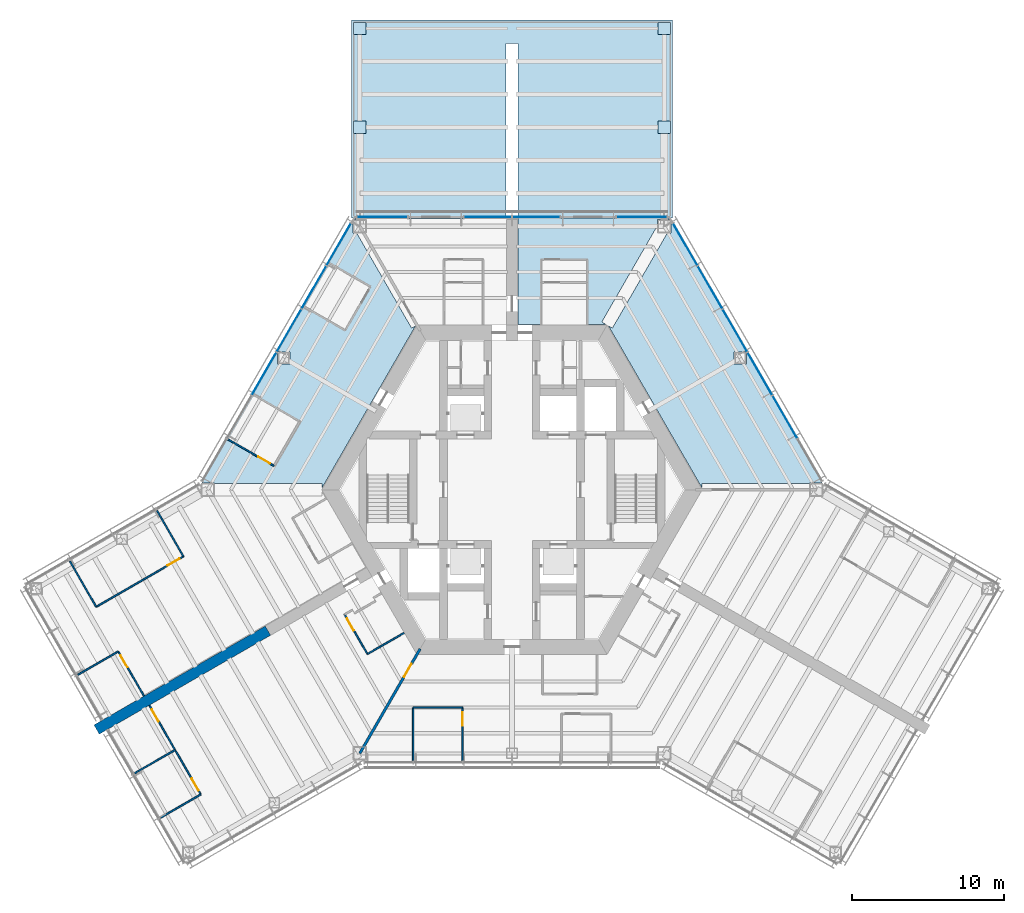
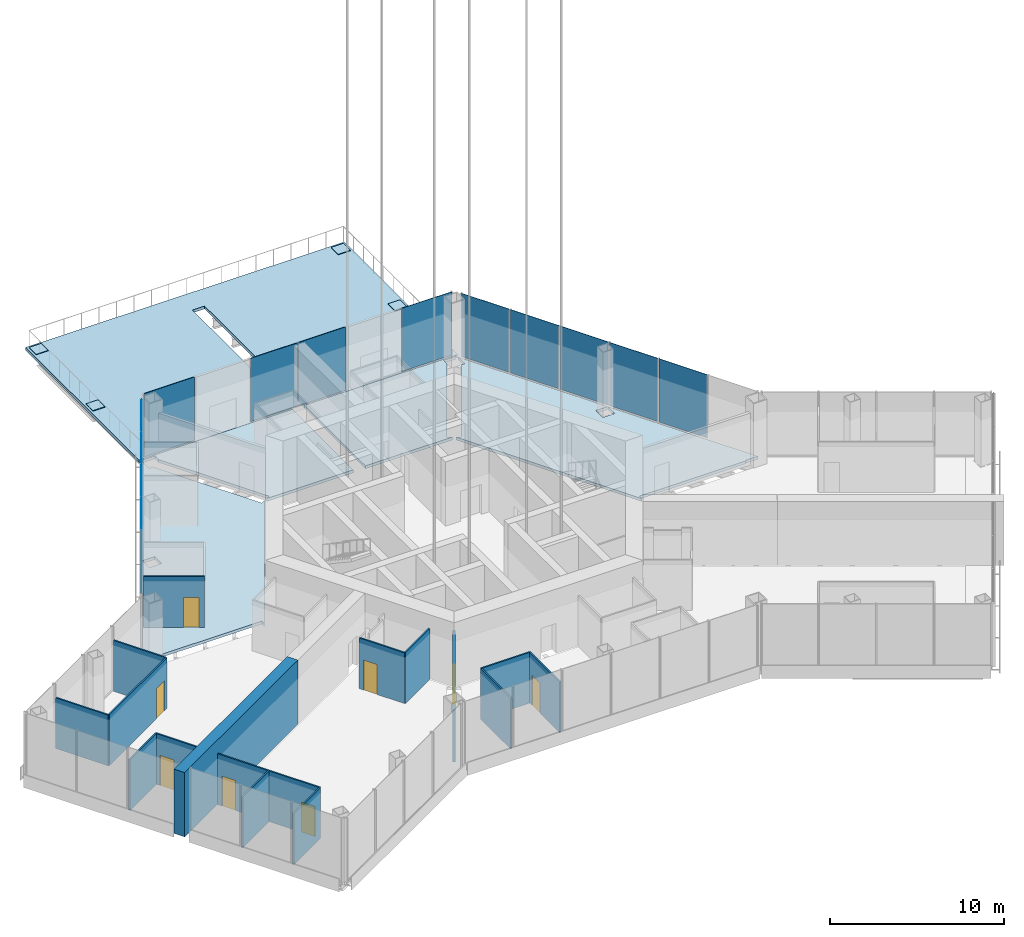
# One storey, part 9 of 18: 17 plates, 17 walls, 8 doors, 5 slabs, 8 openings, 5 elements without a shape of their own.
"""IFC4 building model written with IfcOpenShell, lengths in metres."""

from ifc_helpers import new_model, si_unit, direction, frame, frame_2d, origin, origin_2d, place, context, subcontext, project, spatial, polyline, rectangle, outline, extrude, material, layer, layer_set, type_object, element, fill, aggregate, save


model = new_model("IFC4")

# Units and contexts
model_context = context("Model", 3, precision=1e-05, world=origin(), true_north=direction((0.0, 1.0)))
body_context = subcontext(model_context, "Body", "Model", "MODEL_VIEW")
ifc_project = project(units=[si_unit("LENGTHUNIT", "METRE"), si_unit("AREAUNIT", "SQUARE_METRE"), si_unit("VOLUMEUNIT", "CUBIC_METRE"), si_unit("PLANEANGLEUNIT", "RADIAN"), si_unit("MASSUNIT", "GRAM", prefix="KILO")], contexts=[model_context])

# Site, building, storey
site_placement = place(None, origin())
site = spatial("IfcSite", under=ifc_project, at=site_placement, CompositionType="ELEMENT")
building_placement = place(site_placement, origin())
building = spatial("IfcBuilding", under=site, at=building_placement, Name="Kasaneha Research Tower", CompositionType="ELEMENT")
storey_placement = place(building_placement, frame((0.0, 0.0, 128.60009765625)))
storey = spatial("IfcBuildingStorey", under=building, at=storey_placement, Name="L32", CompositionType="ELEMENT", Elevation=128.60009765625)

# Curtain wall, plates
ifc_material_1 = material(Name="Glass and aluminium", Category="aluminium")
curtain_wall_type = type_object("IfcCurtainWallType", Name="Sky lobby curtain wall", PredefinedType="USERDEFINED", material=ifc_material_1)
curtain_wall_1_placement = place(storey_placement, origin())
curtain_wall_1 = element("IfcCurtainWall", 1, at=curtain_wall_1_placement, inside=storey, type_object=curtain_wall_type, Name="CW-S L32 run 06a", ObjectType="UNITISED CURTAIN WALL", PredefinedType="USERDEFINED")
ifc_material_2 = material(Name="Laminated double glazing", Category="glass")
ifc_layer_1 = layer(ifc_material_2, 0.030029296875)
ifc_layer_set_1 = layer_set([ifc_layer_1], Name="CW-S glazed panel")
plate_type_1 = type_object("IfcPlateType", Name="CW-S glazed panel", PredefinedType="CURTAIN_PANEL", material=ifc_layer_set_1)
plate_1_placement = place(storey_placement, frame((17.9306640625, 4.7841796875, 0.06982421875), z_axis=(0.0, 0.0, 1.0), x_axis=(-0.499999979232, 0.866025415775, 0.0)))
plate_1 = element("IfcPlate", 2, at=plate_1_placement, type_object=plate_type_1, Name="CW-S panel 2", PredefinedType="CURTAIN_PANEL", context=body_context, shape_type="SweptSolid", body=[
    extrude(rectangle(XDim=3.2080078125, YDim=0.030029296875, at=origin_2d()), origin(), (0.0, 0.0, 1.0), 4.429931640625),
])
plate_2_placement = place(storey_placement, frame((16.291748046875, 7.622802734375, 0.06982421875), z_axis=(0.0, 0.0, 1.0), x_axis=(-0.499999979232, 0.866025415775, 0.0)))
plate_2 = element("IfcPlate", 3, at=plate_2_placement, type_object=plate_type_1, Name="CW-S panel 3", PredefinedType="CURTAIN_PANEL", context=body_context, shape_type="SweptSolid", body=[
    extrude(rectangle(XDim=3.2080078125, YDim=0.030029296875, at=origin_2d()), origin(), (0.0, 0.0, 1.0), 4.429931640625),
])
plate_3_placement = place(storey_placement, frame((14.65283203125, 10.461669921875, 0.06982421875), z_axis=(0.0, 0.0, 1.0), x_axis=(-0.499999979232, 0.866025415775, 0.0)))
plate_3 = element("IfcPlate", 4, at=plate_3_placement, type_object=plate_type_1, Name="CW-S panel 4", PredefinedType="CURTAIN_PANEL", context=body_context, shape_type="SweptSolid", body=[
    extrude(rectangle(XDim=3.2080078125, YDim=0.030029296875, at=origin_2d()), origin(), (0.0, 0.0, 1.0), 4.429931640625),
])
plate_4_placement = place(storey_placement, frame((13.013671875, 13.300537109375, 0.06982421875), z_axis=(0.0, 0.0, 1.0), x_axis=(-0.499999979232, 0.866025415775, 0.0)))
plate_4 = element("IfcPlate", 5, at=plate_4_placement, type_object=plate_type_1, Name="CW-S panel 5", PredefinedType="CURTAIN_PANEL", context=body_context, shape_type="SweptSolid", body=[
    extrude(rectangle(XDim=3.2080078125, YDim=0.030029296875, at=origin_2d()), origin(), (0.0, 0.0, 1.0), 4.429931640625),
])
plate_5_placement = place(storey_placement, frame((11.383544921875, 16.124267578125, 0.06982421875), z_axis=(0.0, 0.0, 1.0), x_axis=(-0.499999979232, 0.866025415775, 0.0)))
plate_5 = element("IfcPlate", 6, at=plate_5_placement, type_object=plate_type_1, Name="CW-S panel 6", PredefinedType="CURTAIN_PANEL", context=body_context, shape_type="SweptSolid", body=[
    extrude(rectangle(XDim=3.173095703125, YDim=0.030029296875, at=origin_2d()), origin(), (0.0, 0.0, 1.0), 4.429931640625),
])
aggregate(curtain_wall_1, [plate_1, plate_2, plate_3, plate_4, plate_5])

# Curtain wall, plate
curtain_wall_2_placement = place(storey_placement, origin())
curtain_wall_2 = element("IfcCurtainWall", 7, at=curtain_wall_2_placement, inside=storey, type_object=curtain_wall_type, Name="CW-S L32 run 07a", ObjectType="UNITISED CURTAIN WALL", PredefinedType="USERDEFINED")
plate_6_placement = place(storey_placement, frame((8.523193359375, 17.92041015625, 0.06982421875), z_axis=(0.0, 0.0, 1.0), x_axis=(-1.0, 0.0, 0.0)))
plate_6 = element("IfcPlate", 8, at=plate_6_placement, type_object=plate_type_1, Name="CW-S panel 1", PredefinedType="CURTAIN_PANEL", context=body_context, shape_type="SweptSolid", body=[
    extrude(rectangle(XDim=3.306396484375, YDim=0.030029296875, at=origin_2d()), origin(), (0.0, 0.0, 1.0), 4.429931640625),
])
aggregate(curtain_wall_2, [plate_6])

# Curtain wall, plates
curtain_wall_3_placement = place(storey_placement, origin())
curtain_wall_3 = element("IfcCurtainWall", 9, at=curtain_wall_3_placement, inside=storey, type_object=curtain_wall_type, Name="CW-S L32 run 07c", ObjectType="UNITISED CURTAIN WALL", PredefinedType="USERDEFINED")
plate_7_placement = place(storey_placement, frame((1.58251953125, 17.92041015625, 0.06982421875), z_axis=(0.0, 0.0, 1.0), x_axis=(-1.0, 0.0, 0.0)))
plate_7 = element("IfcPlate", 10, at=plate_7_placement, type_object=plate_type_1, Name="CW-S panel 1", PredefinedType="CURTAIN_PANEL", context=body_context, shape_type="SweptSolid", body=[
    extrude(rectangle(XDim=3.094970703125, YDim=0.030029296875, at=origin_2d()), origin(), (0.0, 0.0, 1.0), 4.429931640625),
])
plate_8_placement = place(storey_placement, frame((-1.58251953125, 17.92041015625, 0.06982421875), z_axis=(0.0, 0.0, 1.0), x_axis=(-1.0, 0.0, 0.0)))
plate_8 = element("IfcPlate", 11, at=plate_8_placement, type_object=plate_type_1, Name="CW-S panel 2", PredefinedType="CURTAIN_PANEL", context=body_context, shape_type="SweptSolid", body=[
    extrude(rectangle(XDim=3.094970703125, YDim=0.030029296875, at=origin_2d()), origin(), (0.0, 0.0, 1.0), 4.429931640625),
])
aggregate(curtain_wall_3, [plate_7, plate_8])

# Curtain wall, plate
curtain_wall_4_placement = place(storey_placement, origin())
curtain_wall_4 = element("IfcCurtainWall", 12, at=curtain_wall_4_placement, inside=storey, type_object=curtain_wall_type, Name="CW-S L32 run 07e", ObjectType="UNITISED CURTAIN WALL", PredefinedType="USERDEFINED")
plate_9_placement = place(storey_placement, frame((-8.523193359375, 17.92041015625, 0.06982421875), z_axis=(0.0, 0.0, 1.0), x_axis=(-1.0, 0.0, 0.0)))
plate_9 = element("IfcPlate", 13, at=plate_9_placement, type_object=plate_type_1, Name="CW-S panel 1", PredefinedType="CURTAIN_PANEL", context=body_context, shape_type="SweptSolid", body=[
    extrude(rectangle(XDim=3.306396484375, YDim=0.030029296875, at=origin_2d()), origin(), (0.0, 0.0, 1.0), 4.429931640625),
])
aggregate(curtain_wall_4, [plate_9])

# Curtain wall, plates
curtain_wall_5_placement = place(storey_placement, origin())
curtain_wall_5 = element("IfcCurtainWall", 14, at=curtain_wall_5_placement, inside=storey, type_object=curtain_wall_type, Name="CW-S L32 run 08a", ObjectType="UNITISED CURTAIN WALL", PredefinedType="USERDEFINED")
plate_10_placement = place(storey_placement, frame((-11.383544921875, 16.124267578125, 0.06982421875), z_axis=(0.0, 0.0, 1.0), x_axis=(-0.499999979232, -0.866025415775, 0.0)))
plate_10 = element("IfcPlate", 15, at=plate_10_placement, type_object=plate_type_1, Name="CW-S panel 1", PredefinedType="CURTAIN_PANEL", context=body_context, shape_type="SweptSolid", body=[
    extrude(rectangle(XDim=3.173095703125, YDim=0.030029296875, at=origin_2d()), origin(), (0.0, 0.0, 1.0), 4.429931640625),
])
plate_11_placement = place(storey_placement, frame((-13.013671875, 13.300537109375, 0.06982421875), z_axis=(0.0, 0.0, 1.0), x_axis=(-0.499999979232, -0.866025415775, 0.0)))
plate_11 = element("IfcPlate", 16, at=plate_11_placement, type_object=plate_type_1, Name="CW-S panel 2", PredefinedType="CURTAIN_PANEL", context=body_context, shape_type="SweptSolid", body=[
    extrude(rectangle(XDim=3.2080078125, YDim=0.030029296875, at=origin_2d()), origin(), (0.0, 0.0, 1.0), 4.429931640625),
])
plate_12_placement = place(storey_placement, frame((-14.65283203125, 10.461669921875, 0.06982421875), z_axis=(0.0, 0.0, 1.0), x_axis=(-0.499999979232, -0.866025415775, 0.0)))
plate_12 = element("IfcPlate", 17, at=plate_12_placement, type_object=plate_type_1, Name="CW-S panel 3", PredefinedType="CURTAIN_PANEL", context=body_context, shape_type="SweptSolid", body=[
    extrude(rectangle(XDim=3.2080078125, YDim=0.030029296875, at=origin_2d()), origin(), (0.0, 0.0, 1.0), 4.429931640625),
])
plate_13_placement = place(storey_placement, frame((-16.291748046875, 7.622802734375, 0.06982421875), z_axis=(0.0, 0.0, 1.0), x_axis=(-0.499999979232, -0.866025415775, 0.0)))
plate_13 = element("IfcPlate", 18, at=plate_13_placement, type_object=plate_type_1, Name="CW-S panel 4", PredefinedType="CURTAIN_PANEL", context=body_context, shape_type="SweptSolid", body=[
    extrude(rectangle(XDim=3.2080078125, YDim=0.030029296875, at=origin_2d()), origin(), (0.0, 0.0, 1.0), 4.429931640625),
])
aggregate(curtain_wall_5, [plate_10, plate_11, plate_12, plate_13])

# Plates
ifc_material_3 = material(Name="Steel SN490C", Category="steel")
ifc_layer_2 = layer(ifc_material_3, 0.0400390625)
ifc_layer_set_2 = layer_set([ifc_layer_2], Name="Column cap plate 40")
plate_type_2 = type_object("IfcPlateType", Name="Column cap plate 40", PredefinedType="USERDEFINED", material=ifc_layer_set_2)
for number, where, z_axis, x_axis, name in (
    (19, (10.0, 23.820556640625, 0.0), (0.0, 0.0, 1.0), (1.0, 0.0, 0.0), "Column cap plate ASP L31"),
    (20, (10.0, 30.320556640625, 0.0), (0.0, 0.0, 1.0), (1.0, 0.0, 0.0), "Column cap plate ATP L31"),
    (21, (-10.0, 23.820556640625, 0.0), (0.0, 0.0, 1.0), (1.0, 0.0, 0.0), "Column cap plate ASN L31"),
    (22, (-10.0, 30.320556640625, 0.0), (0.0, 0.0, 1.0), (1.0, 0.0, 0.0), "Column cap plate ATN L31"),
):
    element("IfcPlate", number, at=place(storey_placement, frame(where, z_axis=z_axis, x_axis=x_axis)), inside=storey, type_object=plate_type_2, Name=name, ObjectType="PLATE", PredefinedType="USERDEFINED", context=body_context, shape_type="SweptSolid", body=[
        extrude(rectangle(XDim=0.800048828125, YDim=0.800048828125, at=origin_2d()), origin(), (0.0, 0.0, 1.0), 0.0400390625),
    ])

# Slabs
ifc_material_4 = material(Name="Concrete Fc24", Category="concrete")
ifc_layer_3 = layer(ifc_material_4, 0.199951171875)
ifc_layer_set_3 = layer_set([ifc_layer_3], Name="Floor slab 200")
slab_type_1 = type_object("IfcSlabType", Name="Floor slab 200", PredefinedType="FLOOR", material=ifc_layer_set_3)
slab_1_placement = place(storey_placement, frame((0.0, 0.0, -0.2001953125)))
element("IfcSlab", 23, at=slab_1_placement, inside=storey, type_object=slab_type_1, Name="Floor slab L32 3", PredefinedType="FLOOR", context=body_context, shape_type="SweptSolid", body=[
    extrude(outline(polyline([(-6.33642578125, 10.77490234375), (-12.49951171875, 0.10009765625), (-12.49951171875, 0.39990234375), (-19.550048828125, 0.39990234375), (-19.550048828125, 0.449951171875), (-20.375244140625, 0.449951171875), (-15.40771484375, 9.053955078125), (-15.400146484375, 9.046142578125), (-15.400146484375, 8.26025390625), (-14.599853515625, 8.26025390625), (-14.599853515625, 9.060302734375), (-15.385986328125, 9.060302734375), (-15.3974609375, 9.07177734375), (-10.449951171875, 17.64111328125), (-10.449951171875, 16.87060546875), (-10.2021484375, 16.87060546875), (-6.59619140625, 10.625), (-6.33642578125, 10.77490234375)])), origin(), (0.0, 0.0, 1.0), 0.2001953125),
])
slab_2_placement = place(storey_placement, frame((0.0, 0.0, -0.2001953125)))
element("IfcSlab", 24, at=slab_2_placement, inside=storey, type_object=slab_type_1, Name="Floor slab L32 4", PredefinedType="FLOOR", context=body_context, shape_type="SweptSolid", body=[
    extrude(outline(polyline([(-6.163330078125, 10.875), (-5.9033203125, 11.02490234375), (-9.550048828125, 17.341064453125), (-9.550048828125, 17.7705078125), (-10.375244140625, 17.7705078125), (-10.317626953125, 17.87060546875), (-0.39990234375, 17.87060546875), (-0.39990234375, 10.875), (-6.163330078125, 10.875)])), origin(), (0.0, 0.0, 1.0), 0.2001953125),
])
slab_3_placement = place(storey_placement, frame((0.0, 0.0, -0.2001953125)))
element("IfcSlab", 25, at=slab_3_placement, inside=storey, type_object=slab_type_1, Name="Floor slab L32 6", PredefinedType="FLOOR", context=body_context, shape_type="SweptSolid", body=[
    extrude(outline(polyline([(9.550048828125, 17.341064453125), (5.9033203125, 11.02490234375), (6.163330078125, 10.875), (0.39990234375, 10.875), (0.39990234375, 17.87060546875), (10.317626953125, 17.87060546875), (10.375244140625, 17.7705078125), (9.550048828125, 17.7705078125), (9.550048828125, 17.341064453125)])), origin(), (0.0, 0.0, 1.0), 0.2001953125),
])
slab_4_placement = place(storey_placement, frame((0.0, 0.0, -0.2001953125)))
element("IfcSlab", 26, at=slab_4_placement, inside=storey, type_object=slab_type_1, Name="Floor slab L32 7", PredefinedType="FLOOR", context=body_context, shape_type="SweptSolid", body=[
    extrude(outline(polyline([(12.49951171875, 0.10009765625), (6.33642578125, 10.77490234375), (6.59619140625, 10.625), (10.2021484375, 16.87060546875), (10.449951171875, 16.87060546875), (10.449951171875, 17.64111328125), (15.3974609375, 9.07177734375), (15.385986328125, 9.060302734375), (14.599853515625, 9.060302734375), (14.599853515625, 8.26025390625), (15.400146484375, 8.26025390625), (15.400146484375, 9.046142578125), (15.40771484375, 9.053955078125), (20.375244140625, 0.449951171875), (19.550048828125, 0.449951171875), (19.550048828125, 0.39990234375), (12.49951171875, 0.39990234375), (12.49951171875, 0.10009765625)])), origin(), (0.0, 0.0, 1.0), 0.2001953125),
])
ifc_material_5 = material(Name="Concrete Fc24", Category="concrete")
ifc_layer_4 = layer(ifc_material_5, 0.199951171875)
ifc_layer_set_4 = layer_set([ifc_layer_4], Name="Terrace slab 200")
slab_type_2 = type_object("IfcSlabType", Name="Terrace slab 200", PredefinedType="ROOF", material=ifc_layer_set_4)
slab_5_placement = place(storey_placement, frame((0.0, 0.0, -0.2001953125)))
element("IfcSlab", 27, at=slab_5_placement, inside=storey, type_object=slab_type_2, Name="Terrace A deck margin", PredefinedType="ROOF", context=body_context, shape_type="SweptSolid", body=[
    extrude(outline(polyline([(-10.550048828125, 30.87060546875), (10.550048828125, 30.87060546875), (10.550048828125, 17.87060546875), (0.39990234375, 17.87060546875), (0.39990234375, 29.320556640625), (-0.39990234375, 29.320556640625), (-0.39990234375, 17.87060546875), (-10.550048828125, 17.87060546875), (-10.550048828125, 30.87060546875)]), holes=[polyline([(-9.60009765625, 23.42041015625), (-9.60009765625, 24.220458984375), (-10.39990234375, 24.220458984375), (-10.39990234375, 23.42041015625), (-9.60009765625, 23.42041015625)]), polyline([(-9.60009765625, 29.92041015625), (-9.60009765625, 30.720458984375), (-10.39990234375, 30.720458984375), (-10.39990234375, 29.92041015625), (-9.60009765625, 29.92041015625)]), polyline([(10.39990234375, 23.42041015625), (10.39990234375, 24.220458984375), (9.60009765625, 24.220458984375), (9.60009765625, 23.42041015625), (10.39990234375, 23.42041015625)]), polyline([(10.39990234375, 29.92041015625), (10.39990234375, 30.720458984375), (9.60009765625, 30.720458984375), (9.60009765625, 29.92041015625), (10.39990234375, 29.92041015625)])]), origin(), (0.0, 0.0, 1.0), 0.2001953125),
])

# Wall, opening, door
ifc_material_6 = material(Name="Gypsum board on steel studs, one layer each side", Category="steel")
ifc_layer_5 = layer(ifc_material_6, 0.10009765625)
ifc_layer_set_5 = layer_set([ifc_layer_5], Name="Office partition 100")
wall_type_1 = type_object("IfcWallType", Name="Office partition 100", PredefinedType="PARTITIONING", material=ifc_layer_set_5)
wall_1_placement = place(storey_placement, frame((-15.632568359375, 1.564697265625, 0.0), z_axis=(0.0, 0.0, 1.0), x_axis=(-0.866034097932, 0.499984940993, 0.0)))
wall_1 = element("IfcWall", 28, at=wall_1_placement, inside=storey, type_object=wall_type_1, Name="Office partition FBN02 L32", PredefinedType="PARTITIONING", context=body_context, shape_type="SweptSolid", body=[
    extrude(rectangle(XDim=3.48876953125, YDim=0.10009765625, at=frame_2d((1.744384765625, 0.0))), origin(), (0.0, 0.0, 1.0), 3.5498046875),
])
opening_1_placement = place(wall_1_placement, frame((0.300048828125, 0.0, 0.0)))
opening_1 = element("IfcOpeningElement", 29, at=opening_1_placement, cuts=wall_1, Name="Opening L32-D32", PredefinedType="OPENING", context=body_context, shape_type="SweptSolid", body=[
    extrude(rectangle(XDim=0.89990234375, YDim=2.10009765625, at=frame_2d((0.449951171875, 1.050048828125))), frame((0.0, 0.06005859375, 0.0), z_axis=(0.0, -1.0, 0.0), x_axis=(1.0, 0.0, 0.0)), (0.0, 0.0, 1.0), 0.1201171875),
])
ifc_material_7 = material(Name="Timber veneer", Category="wood")
door_type_1 = type_object("IfcDoorType", Name="Office door 900x2100", OperationType="SINGLE_SWING_LEFT", PredefinedType="DOOR", material=ifc_material_7)
door_1_placement = place(opening_1_placement, origin())
door_1 = element("IfcDoor", 30, at=door_1_placement, inside=storey, type_object=door_type_1, Name="Meeting room door L32-D32", OperationType="SINGLE_SWING_LEFT", OverallHeight=2.10009765625, OverallWidth=0.89990234375, PredefinedType="DOOR", context=body_context, shape_type="SweptSolid", body=[
    extrude(rectangle(XDim=0.89990234375, YDim=2.10009765625, at=frame_2d((0.449951171875, 1.050048828125))), frame((0.0, 0.02490234375, 0.0), z_axis=(0.0, -1.0, 0.0), x_axis=(1.0, 0.0, 0.0)), (0.0, 0.0, 1.0), 0.050048828125),
])
fill(opening_1, door_1)

# Walls
wall_2_placement = place(storey_placement, frame((-27.324951171875, -7.693115234375, 0.0), z_axis=(0.0, 0.0, 1.0), x_axis=(-0.500020871164, 0.866013353477, 0.0)))
element("IfcWall", 31, at=wall_2_placement, inside=storey, type_object=wall_type_1, Name="Office partition FBN04 L32", PredefinedType="PARTITIONING", context=body_context, shape_type="SweptSolid", body=[
    extrude(rectangle(XDim=3.469970703125, YDim=0.10009765625, at=frame_2d((1.73486328125, 0.0))), origin(), (0.0, 0.0, 1.0), 3.5498046875),
])
wall_3_placement = place(storey_placement, frame((-23.332275390625, -1.36962890625, 0.0), z_axis=(0.0, 0.0, 1.0), x_axis=(0.500009906705, -0.86601968407, 0.0)))
element("IfcWall", 32, at=wall_3_placement, inside=storey, type_object=wall_type_1, Name="Office partition FBN05 L32", PredefinedType="PARTITIONING", context=body_context, shape_type="SweptSolid", body=[
    extrude(rectangle(XDim=3.47998046875, YDim=0.10009765625, at=frame_2d((1.739990234375, 0.0))), origin(), (0.0, 0.0, 1.0), 3.5498046875),
])

# Wall, opening, door
wall_4_placement = place(storey_placement, frame((-21.59228515625, -4.38330078125, 0.0), z_axis=(0.0, 0.0, 1.0), x_axis=(-0.866021597574, -0.500006592492, 0.0)))
wall_4 = element("IfcWall", 33, at=wall_4_placement, inside=storey, type_object=wall_type_1, Name="Office partition FBN06 L32", PredefinedType="PARTITIONING", context=body_context, shape_type="SweptSolid", body=[
    extrude(rectangle(XDim=6.61962890625, YDim=0.10009765625, at=frame_2d((3.309814453125, 0.0))), origin(), (0.0, 0.0, 1.0), 3.5498046875),
])
opening_2_placement = place(wall_4_placement, frame((0.300048828125, 0.0, 0.0)))
opening_2 = element("IfcOpeningElement", 34, at=opening_2_placement, cuts=wall_4, Name="Opening L32-D33", PredefinedType="OPENING", context=body_context, shape_type="SweptSolid", body=[
    extrude(rectangle(XDim=0.89990234375, YDim=2.10009765625, at=frame_2d((0.449951171875, 1.050048828125))), frame((0.0, 0.06005859375, 0.0), z_axis=(0.0, -1.0, 0.0), x_axis=(1.0, 0.0, 0.0)), (0.0, 0.0, 1.0), 0.1201171875),
])
door_2_placement = place(opening_2_placement, origin())
door_2 = element("IfcDoor", 35, at=door_2_placement, inside=storey, type_object=door_type_1, Name="Manager's office door L32-D33", OperationType="SINGLE_SWING_LEFT", OverallHeight=2.10009765625, OverallWidth=0.89990234375, PredefinedType="DOOR", context=body_context, shape_type="SweptSolid", body=[
    extrude(rectangle(XDim=0.89990234375, YDim=2.10009765625, at=frame_2d((0.449951171875, 1.050048828125))), frame((0.0, 0.02490234375, 0.0), z_axis=(0.0, -1.0, 0.0), x_axis=(1.0, 0.0, 0.0)), (0.0, 0.0, 1.0), 0.050048828125),
])
fill(opening_2, door_2)

# Wall
wall_5_placement = place(storey_placement, frame((-28.531982421875, -12.162109375, 0.0), z_axis=(0.0, 0.0, 1.0), x_axis=(0.866037264291, 0.499979456437, 0.0)))
element("IfcWall", 36, at=wall_5_placement, inside=storey, type_object=wall_type_1, Name="Office partition FBN13 L32", PredefinedType="PARTITIONING", context=body_context, shape_type="SweptSolid", body=[
    extrude(rectangle(XDim=3.070068359375, YDim=0.10009765625, at=frame_2d((1.53515625, 0.0))), origin(), (0.0, 0.0, 1.0), 3.5498046875),
])

# Wall, opening, door
wall_6_placement = place(storey_placement, frame((-25.873291015625, -10.627197265625, 0.0), z_axis=(0.0, 0.0, 1.0), x_axis=(0.5000115033, -0.866018762249, 0.0)))
wall_6 = element("IfcWall", 37, at=wall_6_placement, inside=storey, type_object=wall_type_1, Name="Office partition FBN14 L32", PredefinedType="PARTITIONING", context=body_context, shape_type="SweptSolid", body=[
    extrude(rectangle(XDim=3.36328125, YDim=0.10009765625, at=frame_2d((1.681640625, 0.0))), origin(), (0.0, 0.0, 1.0), 3.5498046875),
])
opening_3_placement = place(wall_6_placement, frame((0.300048828125, 0.0, 0.0)))
opening_3 = element("IfcOpeningElement", 38, at=opening_3_placement, cuts=wall_6, Name="Opening L32-D36", PredefinedType="OPENING", context=body_context, shape_type="SweptSolid", body=[
    extrude(rectangle(XDim=0.89990234375, YDim=2.10009765625, at=frame_2d((0.449951171875, 1.050048828125))), frame((0.0, 0.06005859375, 0.0), z_axis=(0.0, -1.0, 0.0), x_axis=(1.0, 0.0, 0.0)), (0.0, 0.0, 1.0), 0.1201171875),
])
door_3_placement = place(opening_3_placement, origin())
door_3 = element("IfcDoor", 39, at=door_3_placement, inside=storey, type_object=door_type_1, Name="Phone room door L32-D36", OperationType="SINGLE_SWING_LEFT", OverallHeight=2.10009765625, OverallWidth=0.89990234375, PredefinedType="DOOR", context=body_context, shape_type="SweptSolid", body=[
    extrude(rectangle(XDim=0.89990234375, YDim=2.10009765625, at=frame_2d((0.449951171875, 1.050048828125))), frame((0.0, 0.02490234375, 0.0), z_axis=(0.0, -1.0, 0.0), x_axis=(1.0, 0.0, 0.0)), (0.0, 0.0, 1.0), 0.050048828125),
])
fill(opening_3, door_3)

wall_7_placement = place(storey_placement, frame((-9.49951171875, -10.796142578125, 0.0), z_axis=(0.0, 0.0, 1.0), x_axis=(-0.499990139034, 0.866031096941, 0.0)))
wall_7 = element("IfcWall", 40, at=wall_7_placement, inside=storey, type_object=wall_type_1, Name="Office partition FBS03 L32", PredefinedType="PARTITIONING", context=body_context, shape_type="SweptSolid", body=[
    extrude(rectangle(XDim=3.0, YDim=0.10009765625, at=frame_2d((1.5, 0.0))), origin(), (0.0, 0.0, 1.0), 3.5498046875),
])
opening_4_placement = place(wall_7_placement, frame((1.800048828125, 0.0, 0.0)))
opening_4 = element("IfcOpeningElement", 41, at=opening_4_placement, cuts=wall_7, Name="Opening L32-D37", PredefinedType="OPENING", context=body_context, shape_type="SweptSolid", body=[
    extrude(rectangle(XDim=0.89990234375, YDim=2.10009765625, at=frame_2d((0.449951171875, 1.050048828125))), frame((0.0, 0.06005859375, 0.0), z_axis=(0.0, -1.0, 0.0), x_axis=(1.0, 0.0, 0.0)), (0.0, 0.0, 1.0), 0.1201171875),
])
door_4_placement = place(opening_4_placement, origin())
door_4 = element("IfcDoor", 42, at=door_4_placement, inside=storey, type_object=door_type_1, Name="Pantry door L32-D37", OperationType="SINGLE_SWING_RIGHT", OverallHeight=2.10009765625, OverallWidth=0.89990234375, PredefinedType="DOOR", context=body_context, shape_type="SweptSolid", body=[
    extrude(rectangle(XDim=0.89990234375, YDim=2.10009765625, at=frame_2d((0.449951171875, 1.050048828125))), frame((0.0, 0.02490234375, 0.0), z_axis=(0.0, -1.0, 0.0), x_axis=(1.0, 0.0, 0.0)), (0.0, 0.0, 1.0), 0.050048828125),
])
fill(opening_4, door_4)

# Walls
wall_8_placement = place(storey_placement, frame((-7.092041015625, -9.40625, 0.0), z_axis=(0.0, 0.0, 1.0), x_axis=(-0.86603494908, -0.499983466698, 0.0)))
element("IfcWall", 43, at=wall_8_placement, inside=storey, type_object=wall_type_1, Name="Office partition FBS05 L32", PredefinedType="PARTITIONING", context=body_context, shape_type="SweptSolid", body=[
    extrude(rectangle(XDim=2.77978515625, YDim=0.10009765625, at=frame_2d((1.389892578125, 0.0))), origin(), (0.0, 0.0, 1.0), 3.5498046875),
])
wall_9_placement = place(storey_placement, frame((-24.798583984375, -18.62841796875, 0.0), z_axis=(0.0, 0.0, 1.0), x_axis=(0.866820377992, 0.498620529359, 0.0)))
element("IfcWall", 44, at=wall_9_placement, inside=storey, type_object=wall_type_1, Name="Office partition FBS06 L32", PredefinedType="PARTITIONING", context=body_context, shape_type="SweptSolid", body=[
    extrude(rectangle(XDim=3.070068359375, YDim=0.10009765625, at=frame_2d((1.53515625, 0.0))), origin(), (0.0, 0.0, 1.0), 3.5498046875),
])

# Wall, opening, door
wall_10_placement = place(storey_placement, frame((-22.143798828125, -17.095703125, 0.0), z_axis=(0.0, 0.0, 1.0), x_axis=(0.501158580036, -0.865355463181, 0.0)))
wall_10 = element("IfcWall", 45, at=wall_10_placement, inside=storey, type_object=wall_type_1, Name="Office partition FBS07 L32", PredefinedType="PARTITIONING", context=body_context, shape_type="SweptSolid", body=[
    extrude(rectangle(XDim=3.38330078125, YDim=0.10009765625, at=frame_2d((1.691650390625, 0.0))), origin(), (0.0, 0.0, 1.0), 3.5498046875),
])
opening_5_placement = place(wall_10_placement, frame((2.183349609375, 0.0, 0.0)))
opening_5 = element("IfcOpeningElement", 46, at=opening_5_placement, cuts=wall_10, Name="Opening L32-D38", PredefinedType="OPENING", context=body_context, shape_type="SweptSolid", body=[
    extrude(rectangle(XDim=0.89990234375, YDim=2.10009765625, at=frame_2d((0.449951171875, 1.050048828125))), frame((0.0, 0.06005859375, 0.0), z_axis=(0.0, -1.0, 0.0), x_axis=(1.0, 0.0, 0.0)), (0.0, 0.0, 1.0), 0.1201171875),
])
door_5_placement = place(opening_5_placement, origin())
door_5 = element("IfcDoor", 47, at=door_5_placement, inside=storey, type_object=door_type_1, Name="Project room door L32-D38", OperationType="SINGLE_SWING_RIGHT", OverallHeight=2.10009765625, OverallWidth=0.89990234375, PredefinedType="DOOR", context=body_context, shape_type="SweptSolid", body=[
    extrude(rectangle(XDim=0.89990234375, YDim=2.10009765625, at=frame_2d((0.449951171875, 1.050048828125))), frame((0.0, 0.02490234375, 0.0), z_axis=(0.0, -1.0, 0.0), x_axis=(1.0, 0.0, 0.0)), (0.0, 0.0, 1.0), 0.050048828125),
])
fill(opening_5, door_5)

# Wall
wall_11_placement = place(storey_placement, frame((-20.4482421875, -20.0234375, 0.0), z_axis=(0.0, 0.0, 1.0), x_axis=(-0.866002828817, -0.500039098953, 0.0)))
element("IfcWall", 48, at=wall_11_placement, inside=storey, type_object=wall_type_1, Name="Office partition FBS08 L32", PredefinedType="PARTITIONING", context=body_context, shape_type="SweptSolid", body=[
    extrude(rectangle(XDim=3.070068359375, YDim=0.10009765625, at=frame_2d((1.53515625, 0.0))), origin(), (0.0, 0.0, 1.0), 3.5498046875),
])

# Wall, opening, door
wall_12_placement = place(storey_placement, frame((-23.82177734375, -14.1806640625, 0.0), z_axis=(0.0, 0.0, 1.0), x_axis=(0.498880193261, -0.866670959922, 0.0)))
wall_12 = element("IfcWall", 49, at=wall_12_placement, inside=storey, type_object=wall_type_1, Name="Office partition FBS09 L32", PredefinedType="PARTITIONING", context=body_context, shape_type="SweptSolid", body=[
    extrude(rectangle(XDim=3.363525390625, YDim=0.10009765625, at=frame_2d((1.681640625, 0.0))), origin(), (0.0, 0.0, 1.0), 3.5498046875),
])
opening_6_placement = place(wall_12_placement, frame((0.300048828125, 0.0, 0.0)))
opening_6 = element("IfcOpeningElement", 50, at=opening_6_placement, cuts=wall_12, Name="Opening L32-D39", PredefinedType="OPENING", context=body_context, shape_type="SweptSolid", body=[
    extrude(rectangle(XDim=0.89990234375, YDim=2.10009765625, at=frame_2d((0.449951171875, 1.050048828125))), frame((0.0, 0.06005859375, 0.0), z_axis=(0.0, -1.0, 0.0), x_axis=(1.0, 0.0, 0.0)), (0.0, 0.0, 1.0), 0.1201171875),
])
door_6_placement = place(opening_6_placement, origin())
door_6 = element("IfcDoor", 51, at=door_6_placement, inside=storey, type_object=door_type_1, Name="Workroom door L32-D39", OperationType="SINGLE_SWING_LEFT", OverallHeight=2.10009765625, OverallWidth=0.89990234375, PredefinedType="DOOR", context=body_context, shape_type="SweptSolid", body=[
    extrude(rectangle(XDim=0.89990234375, YDim=2.10009765625, at=frame_2d((0.449951171875, 1.050048828125))), frame((0.0, 0.02490234375, 0.0), z_axis=(0.0, -1.0, 0.0), x_axis=(1.0, 0.0, 0.0)), (0.0, 0.0, 1.0), 0.050048828125),
])
fill(opening_6, door_6)

# Walls
wall_13_placement = place(storey_placement, frame((-6.492919921875, -17.800537109375, 0.0), z_axis=(0.0, 0.0, 1.0), x_axis=(0.0, 1.0, 0.0)))
element("IfcWall", 52, at=wall_13_placement, inside=storey, type_object=wall_type_1, Name="Office partition FCS06 L32", PredefinedType="PARTITIONING", context=body_context, shape_type="SweptSolid", body=[
    extrude(rectangle(XDim=3.47998046875, YDim=0.10009765625, at=frame_2d((1.739990234375, 0.0))), origin(), (0.0, 0.0, 1.0), 3.5498046875),
])
wall_14_placement = place(storey_placement, frame((-6.492919921875, -14.320556640625, 0.0), z_axis=(0.0, 0.0, 1.0), x_axis=(1.0, 0.0, 0.0)))
element("IfcWall", 53, at=wall_14_placement, inside=storey, type_object=wall_type_1, Name="Office partition FCS07 L32", PredefinedType="PARTITIONING", context=body_context, shape_type="SweptSolid", body=[
    extrude(rectangle(XDim=3.24658203125, YDim=0.10009765625, at=frame_2d((1.623291015625, 0.0))), origin(), (0.0, 0.0, 1.0), 3.5498046875),
])

# Wall, opening, door
wall_15_placement = place(storey_placement, frame((-3.246337890625, -14.320556640625, 0.0), z_axis=(0.0, 0.0, 1.0), x_axis=(0.0, -1.0, 0.0)))
wall_15 = element("IfcWall", 54, at=wall_15_placement, inside=storey, type_object=wall_type_1, Name="Office partition FCS08 L32", PredefinedType="PARTITIONING", context=body_context, shape_type="SweptSolid", body=[
    extrude(rectangle(XDim=3.47998046875, YDim=0.10009765625, at=frame_2d((1.739990234375, 0.0))), origin(), (0.0, 0.0, 1.0), 3.5498046875),
])
opening_7_placement = place(wall_15_placement, frame((0.300048828125, 0.0, 0.0)))
opening_7 = element("IfcOpeningElement", 55, at=opening_7_placement, cuts=wall_15, Name="Opening L32-D42", PredefinedType="OPENING", context=body_context, shape_type="SweptSolid", body=[
    extrude(rectangle(XDim=0.89990234375, YDim=2.10009765625, at=frame_2d((0.449951171875, 1.050048828125))), frame((0.0, 0.06005859375, 0.0), z_axis=(0.0, -1.0, 0.0), x_axis=(1.0, 0.0, 0.0)), (0.0, 0.0, 1.0), 0.1201171875),
])
door_7_placement = place(opening_7_placement, origin())
door_7 = element("IfcDoor", 56, at=door_7_placement, inside=storey, type_object=door_type_1, Name="Meeting room door L32-D42", OperationType="SINGLE_SWING_LEFT", OverallHeight=2.10009765625, OverallWidth=0.89990234375, PredefinedType="DOOR", context=body_context, shape_type="SweptSolid", body=[
    extrude(rectangle(XDim=0.89990234375, YDim=2.10009765625, at=frame_2d((0.449951171875, 1.050048828125))), frame((0.0, 0.02490234375, 0.0), z_axis=(0.0, -1.0, 0.0), x_axis=(1.0, 0.0, 0.0)), (0.0, 0.0, 1.0), 0.050048828125),
])
fill(opening_7, door_7)

# Wall
ifc_material_8 = material(Name="Concrete Fc70", Category="concrete")
ifc_layer_6 = layer(ifc_material_8, 0.699951171875)
ifc_layer_set_6 = layer_set([ifc_layer_6], Name="Spine wall 700 Fc70")
wall_type_2 = type_object("IfcWallType", Name="Spine wall 700 Fc70", PredefinedType="SHEAR", material=ifc_layer_set_6)
wall_16_placement = place(storey_placement, frame((-16.039306640625, -9.26025390625, 0.0), z_axis=(0.0, 0.0, 1.0), x_axis=(-0.866024837091, -0.50000098154, 0.0)))
element("IfcWall", 57, at=wall_16_placement, inside=storey, type_object=wall_type_2, Name="Spine wall B wing L32", PredefinedType="SHEAR", context=body_context, shape_type="SweptSolid", body=[
    extrude(rectangle(XDim=13.0, YDim=0.699951171875, at=frame_2d((6.5, 0.0))), origin(), (0.0, 0.0, 1.0), 4.5),
])

# Wall, opening, door
ifc_material_9 = material(Name="Gypsum board on steel studs, two layers each side", Category="steel")
ifc_layer_7 = layer(ifc_material_9, 0.175048828125)
ifc_layer_set_7 = layer_set([ifc_layer_7], Name="Tenancy fire partition 175")
wall_type_3 = type_object("IfcWallType", Name="Tenancy fire partition 175", PredefinedType="PARTITIONING", material=ifc_layer_set_7)
wall_17_placement = place(storey_placement, frame((-6.034912109375, -10.45263671875, 0.0), z_axis=(0.0, 0.0, 1.0), x_axis=(-0.499989830942, -0.866031274813, 0.0)))
wall_17 = element("IfcWall", 58, at=wall_17_placement, inside=storey, type_object=wall_type_3, Name="Tenancy fire partition T240 L32", PredefinedType="PARTITIONING", context=body_context, shape_type="SweptSolid", body=[
    extrude(rectangle(XDim=7.930419921875, YDim=0.175048828125, at=frame_2d((3.96533203125, 0.0))), origin(), (0.0, 0.0, 1.0), 3.64990234375),
])
opening_8_placement = place(wall_17_placement, frame((1.1298828125, 0.0, 0.0)))
opening_8 = element("IfcOpeningElement", 59, at=opening_8_placement, cuts=wall_17, Name="Opening L32-D27", PredefinedType="OPENING", context=body_context, shape_type="SweptSolid", body=[
    extrude(rectangle(XDim=1.0, YDim=2.10009765625, at=frame_2d((0.5, 1.050048828125))), frame((0.0, 0.09765625, 0.0), z_axis=(0.0, -1.0, 0.0), x_axis=(1.0, 0.0, 0.0)), (0.0, 0.0, 1.0), 0.195068359375),
])
ifc_material_10 = material(Name="Steel", Category="steel")
door_type_2 = type_object("IfcDoorType", Name="Suite entrance door FD60 1000x2100", OperationType="NOTDEFINED", PredefinedType="DOOR", material=ifc_material_10)
door_8_placement = place(opening_8_placement, origin())
door_8 = element("IfcDoor", 60, at=door_8_placement, inside=storey, type_object=door_type_2, Name="Connecting door L32-D27", OperationType="SINGLE_SWING_LEFT", OverallHeight=2.10009765625, OverallWidth=1.0, PredefinedType="DOOR", context=body_context, shape_type="SweptSolid", body=[
    extrude(rectangle(XDim=1.0, YDim=2.10009765625, at=frame_2d((0.5, 1.050048828125))), frame((0.0, 0.02490234375, 0.0), z_axis=(0.0, -1.0, 0.0), x_axis=(1.0, 0.0, 0.0)), (0.0, 0.0, 1.0), 0.050048828125),
])
fill(opening_8, door_8)

save(model, "model.ifc")
